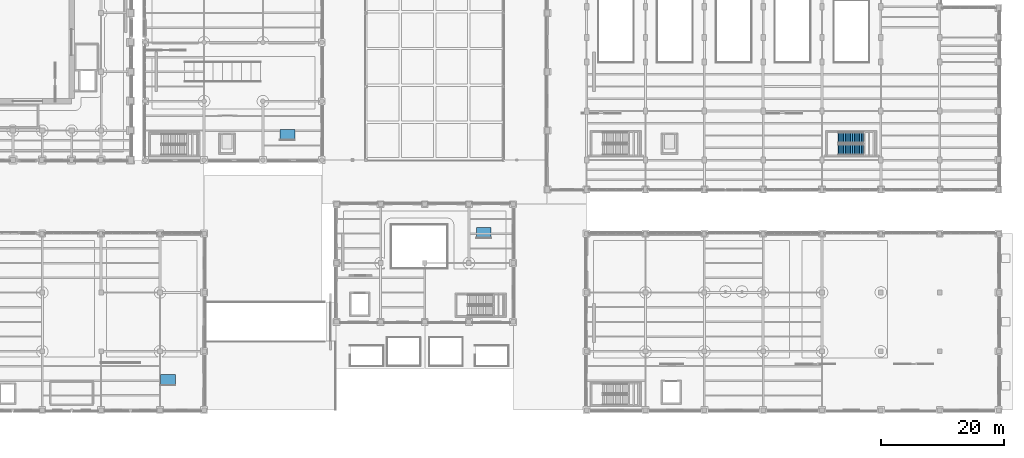
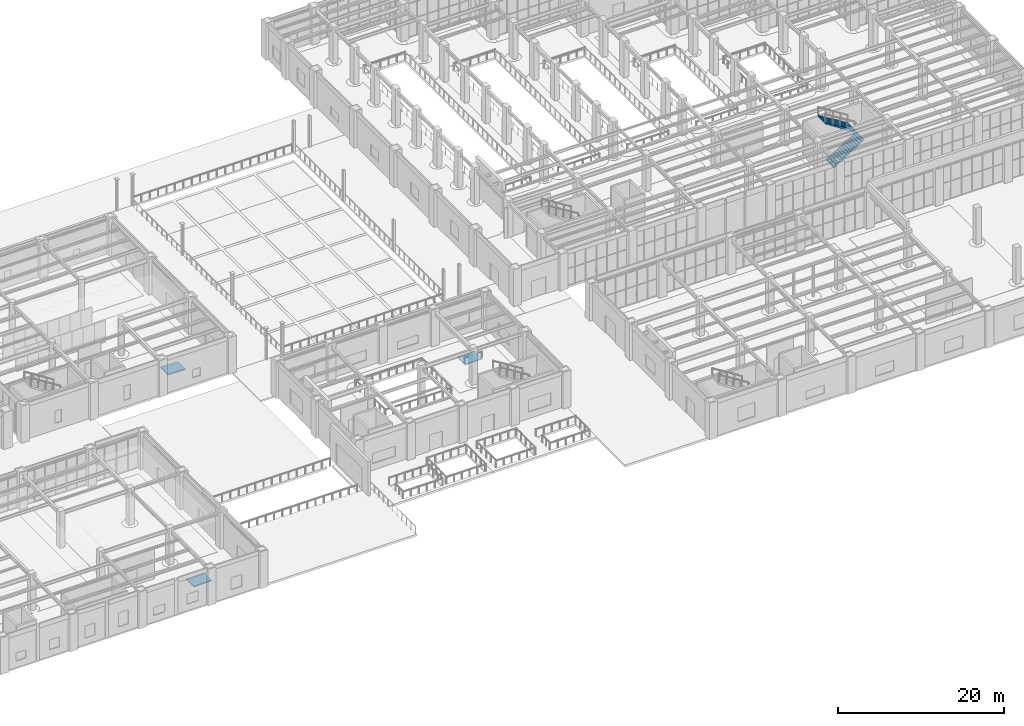
# One storey, part 139 of 164: 3 ramp flights, 2 stair flights, 4 elements without a shape of their own.
"""IFC4 building model written with IfcOpenShell, lengths in metres."""

from ifc_helpers import new_model, si_unit, direction, frame, origin, place, context, subcontext, project, spatial, polyline, outline, extrude, material, layer, layer_set, type_object, element, aggregate, save


model = new_model("IFC4")

# Units and contexts
model_context = context("Model", 3, precision=1e-05, world=origin(), true_north=direction((0.0, 1.0)))
body_context = subcontext(model_context, "Body", "Model", "MODEL_VIEW")
ifc_project = project(units=[si_unit("LENGTHUNIT", "METRE"), si_unit("AREAUNIT", "SQUARE_METRE"), si_unit("VOLUMEUNIT", "CUBIC_METRE"), si_unit("PLANEANGLEUNIT", "RADIAN"), si_unit("MASSUNIT", "GRAM", prefix="KILO")], contexts=[model_context])

# Site, building, storey
site_placement = place(None, origin())
site = spatial("IfcSite", under=ifc_project, at=site_placement, CompositionType="ELEMENT")
building_placement = place(site_placement, origin())
building = spatial("IfcBuilding", under=site, at=building_placement, Name="Mavantir Sound Aquarium", CompositionType="ELEMENT")
storey_placement = place(building_placement, origin())
storey = spatial("IfcBuildingStorey", under=building, at=storey_placement, Name="L00", CompositionType="ELEMENT", Elevation=0.0)

# Stair, stair flights
ifc_material = material(Name="Concrete C40/50", Category="concrete")
stair_type = type_object("IfcStairType", Name="STR-1800-5400", PredefinedType="HALF_TURN_STAIR", material=ifc_material)
stair_placement = place(storey_placement, origin())
stair = element("IfcStair", 1, at=stair_placement, inside=storey, type_object=stair_type, Name="L00 Protected exit stair ST12", PredefinedType="HALF_TURN_STAIR")
stair_flight_type = type_object("IfcStairFlightType", Name="STF-1800-5400", PredefinedType="STRAIGHT", material=ifc_material)
stair_flight_1_placement = place(storey_placement, frame((149.050048828125, 42.5, 0.0), z_axis=(0.0, 0.0, 1.0), x_axis=(1.0, 0.0, 0.0)))
stair_flight_1 = element("IfcStairFlight", 2, at=stair_flight_1_placement, type_object=stair_flight_type, Name="ST12 flight 1", NumberOfRisers=15, NumberOfTreads=14, PredefinedType="STRAIGHT", RiserHeight=0.18, TreadLength=0.29, context=body_context, shape_type="SweptSolid", body=[
    extrude(outline(polyline([(-0.044921875, -0.139892578125), (-0.044921875, 0.0), (0.0, 0.0), (0.0, 0.179931640625), (0.2900390625, 0.179931640625), (0.2900390625, 0.360107421875), (0.580078125, 0.360107421875), (0.580078125, 0.5400390625), (0.8701171875, 0.5400390625), (0.8701171875, 0.719970703125), (1.159912109375, 0.719970703125), (1.159912109375, 0.89990234375), (1.449951171875, 0.89990234375), (1.449951171875, 1.080078125), (1.739990234375, 1.080078125), (1.739990234375, 1.260009765625), (2.030029296875, 1.260009765625), (2.030029296875, 1.43994140625), (2.320068359375, 1.43994140625), (2.320068359375, 1.6201171875), (2.610107421875, 1.6201171875), (2.610107421875, 1.800048828125), (2.89990234375, 1.800048828125), (2.89990234375, 1.97998046875), (3.18994140625, 1.97998046875), (3.18994140625, 2.159912109375), (3.47998046875, 2.159912109375), (3.47998046875, 2.340087890625), (3.77001953125, 2.340087890625), (3.77001953125, 2.52001953125), (4.06005859375, 2.52001953125), (4.06005859375, 2.699951171875), (4.10498046875, 2.699951171875), (4.10498046875, 2.3798828125), (4.06005859375, 2.3798828125), (0.2255859375, -0.139892578125), (-0.044921875, -0.139892578125)])), frame((0.0, 0.89990234375, 0.0), z_axis=(0.0, -1.0, 0.0), x_axis=(1.0, 0.0, 0.0)), (0.0, 0.0, 1.0), 1.800048828125),
])
stair_flight_2_placement = place(storey_placement, frame((153.110107421875, 44.449951171875, 2.699951171875), z_axis=(0.0, 0.0, 1.0), x_axis=(-1.0, 0.0, 0.0)))
stair_flight_2 = element("IfcStairFlight", 3, at=stair_flight_2_placement, type_object=stair_flight_type, Name="ST12 flight 2", NumberOfRisers=15, NumberOfTreads=14, PredefinedType="STRAIGHT", RiserHeight=0.18, TreadLength=0.29, context=body_context, shape_type="SweptSolid", body=[
    extrude(outline(polyline([(-0.044921875, -0.139892578125), (-0.044921875, 0.0), (0.0, 0.0), (0.0, 0.179931640625), (0.2900390625, 0.179931640625), (0.2900390625, 0.360107421875), (0.580078125, 0.360107421875), (0.580078125, 0.5400390625), (0.8701171875, 0.5400390625), (0.8701171875, 0.719970703125), (1.159912109375, 0.719970703125), (1.159912109375, 0.89990234375), (1.449951171875, 0.89990234375), (1.449951171875, 1.080078125), (1.739990234375, 1.080078125), (1.739990234375, 1.260009765625), (2.030029296875, 1.260009765625), (2.030029296875, 1.43994140625), (2.320068359375, 1.43994140625), (2.320068359375, 1.6201171875), (2.610107421875, 1.6201171875), (2.610107421875, 1.800048828125), (2.89990234375, 1.800048828125), (2.89990234375, 1.97998046875), (3.18994140625, 1.97998046875), (3.18994140625, 2.159912109375), (3.47998046875, 2.159912109375), (3.47998046875, 2.340087890625), (3.77001953125, 2.340087890625), (3.77001953125, 2.52001953125), (4.06005859375, 2.52001953125), (4.06005859375, 2.699951171875), (4.10498046875, 2.699951171875), (4.10498046875, 2.3798828125), (4.06005859375, 2.3798828125), (0.2255859375, -0.139892578125), (-0.044921875, -0.139892578125)])), frame((0.0, 0.89990234375, 0.0), z_axis=(0.0, -1.0, 0.0), x_axis=(1.0, 0.0, 0.0)), (0.0, 0.0, 1.0), 1.800048828125),
])
aggregate(stair, [stair_flight_1, stair_flight_2])

# Ramp, ramp flight
ramp_type = type_object("IfcRampType", Name="RMP-PED", PredefinedType="STRAIGHT_RUN_RAMP", material=ifc_material)
ramp_1_placement = place(storey_placement, origin())
ramp_1 = element("IfcRamp", 4, at=ramp_1_placement, inside=storey, type_object=ramp_type, Name="L00 accessible gallery ramp 1", PredefinedType="STRAIGHT_RUN_RAMP")
ifc_layer = layer(ifc_material, 0.159912109375, Name="Concrete C40/50")
ifc_layer_set = layer_set([ifc_layer], Name="Concrete C40/50")
ramp_flight_type = type_object("IfcRampFlightType", Name="RMPF-PED", PredefinedType="STRAIGHT", material=ifc_layer_set)
ramp_flight_1_placement = place(storey_placement, frame((38.5, 4.0, -0.06005859375), z_axis=(-0.025017599662, 0.0, 0.999687010872), x_axis=(0.999687010872, 0.0, 0.025017599662)))
ramp_flight_1 = element("IfcRampFlight", 5, at=ramp_flight_1_placement, type_object=ramp_flight_type, Name="L00 accessible gallery ramp flight 1", PredefinedType="STRAIGHT", context=body_context, shape_type="SweptSolid", body=[
    extrude(outline(polyline([(0.0, 0.0), (2.4006537222639945, 0.0), (2.4006537222639945, 1.800048828125), (0.0, 1.800048828125), (0.0, 0.0)])), origin(), (0.0, 0.0, -1.0), 0.159912109375),
])
aggregate(ramp_1, [ramp_flight_1])

ramp_2_placement = place(storey_placement, origin())
ramp_2 = element("IfcRamp", 6, at=ramp_2_placement, inside=storey, type_object=ramp_type, Name="L00 accessible gallery ramp 2", PredefinedType="STRAIGHT_RUN_RAMP")
ramp_flight_2_placement = place(storey_placement, frame((58.0, 44.0, 0.0), z_axis=(0.025017599662, 0.0, 0.999687010872), x_axis=(0.999687010872, 0.0, -0.025017599662)))
ramp_flight_2 = element("IfcRampFlight", 7, at=ramp_flight_2_placement, type_object=ramp_flight_type, Name="L00 accessible gallery ramp flight 2", PredefinedType="STRAIGHT", context=body_context, shape_type="SweptSolid", body=[
    extrude(outline(polyline([(0.0, 0.0), (2.4006537222639945, 0.0), (2.4006537222639945, 1.800048828125), (0.0, 1.800048828125), (0.0, 0.0)])), origin(), (0.0, 0.0, -1.0), 0.159912109375),
])
aggregate(ramp_2, [ramp_flight_2])

ramp_3_placement = place(storey_placement, origin())
ramp_3 = element("IfcRamp", 8, at=ramp_3_placement, inside=storey, type_object=ramp_type, Name="L00 accessible gallery ramp 3", PredefinedType="STRAIGHT_RUN_RAMP")
ramp_flight_3_placement = place(storey_placement, frame((90.0, 28.0, -0.06005859375), z_axis=(-0.025017599662, 0.0, 0.999687010872), x_axis=(0.999687010872, 0.0, 0.025017599662)))
ramp_flight_3 = element("IfcRampFlight", 9, at=ramp_flight_3_placement, type_object=ramp_flight_type, Name="L00 accessible gallery ramp flight 3", PredefinedType="STRAIGHT", context=body_context, shape_type="SweptSolid", body=[
    extrude(outline(polyline([(0.0, 0.0), (2.4006537222639945, 0.0), (2.4006537222639945, 1.800048828125), (0.0, 1.800048828125), (0.0, 0.0)])), origin(), (0.0, 0.0, -1.0), 0.159912109375),
])
aggregate(ramp_3, [ramp_flight_3])

save(model, "model.ifc")
